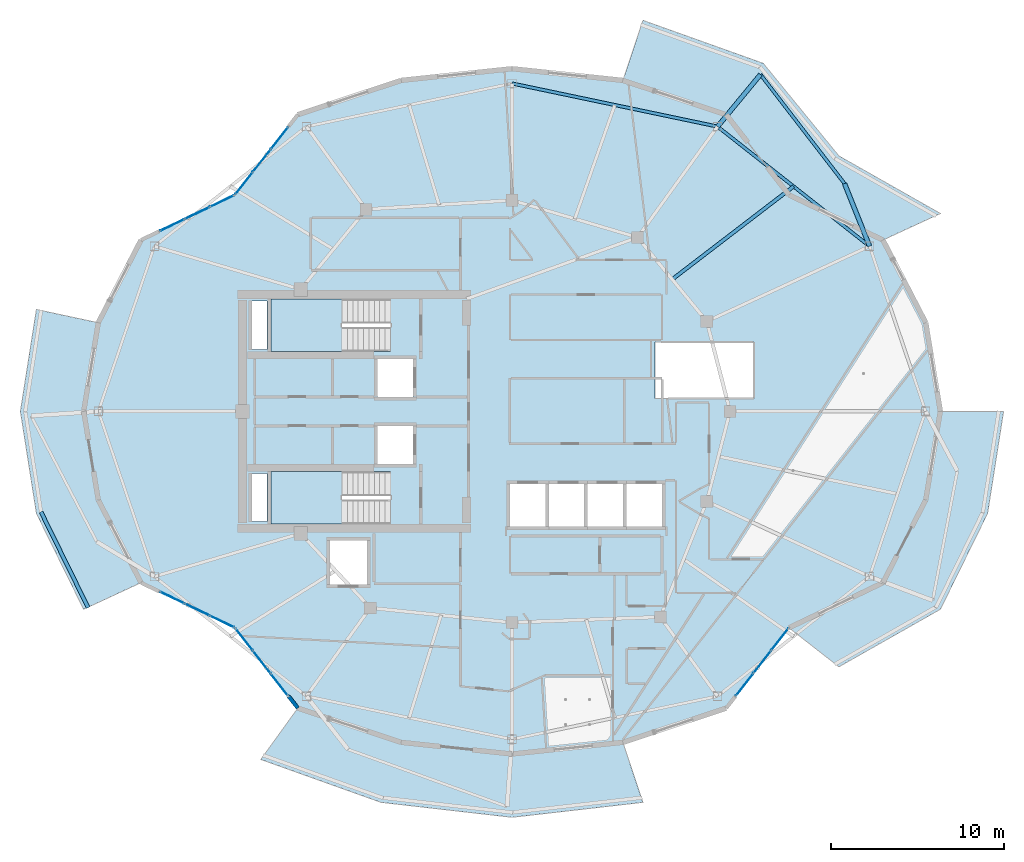
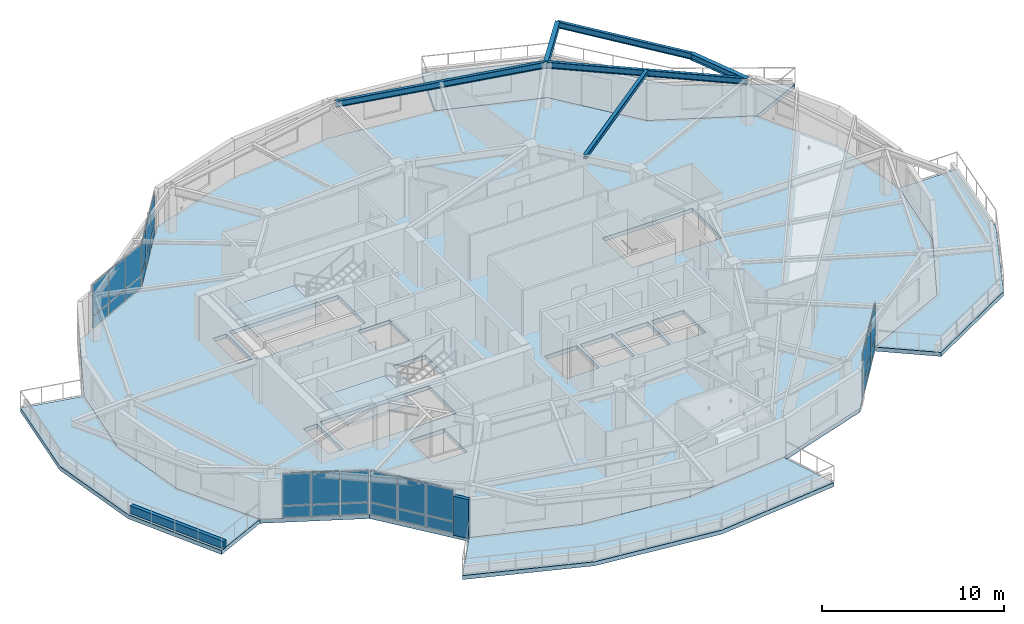
# One storey, part 6 of 19: 35 plates, 7 slabs, 6 beams, 2 walls, 7 elements without a shape of their own.
"""IFC4 building model written with IfcOpenShell, lengths in metres."""

from ifc_helpers import new_model, si_unit, direction, frame, frame_2d, origin, origin_2d, place, context, subcontext, project, spatial, polyline, rectangle, i_section, outline, extrude, material, layer, layer_set, material_profile, profile_set, type_object, element, aggregate, save


model = new_model("IFC4")

# Units and contexts
model_context = context("Model", 3, precision=1e-05, world=origin(), true_north=direction((0.0, 1.0)))
body_context = subcontext(model_context, "Body", "Model", "MODEL_VIEW")
ifc_project = project(units=[si_unit("LENGTHUNIT", "METRE"), si_unit("AREAUNIT", "SQUARE_METRE"), si_unit("VOLUMEUNIT", "CUBIC_METRE"), si_unit("PLANEANGLEUNIT", "RADIAN"), si_unit("MASSUNIT", "GRAM", prefix="KILO")], contexts=[model_context])

# Site, building, storey
site_placement = place(None, origin())
site = spatial("IfcSite", under=ifc_project, at=site_placement, CompositionType="ELEMENT")
building_placement = place(site_placement, origin())
building = spatial("IfcBuilding", under=site, at=building_placement, Name="Kolvaren Gate Tower and Convention Centre", CompositionType="ELEMENT")
storey_placement = place(building_placement, frame((0.0, 0.0, 212.89990234375)))
storey = spatial("IfcBuildingStorey", under=building, at=storey_placement, Name="L56", CompositionType="ELEMENT", Elevation=212.89990234375)

# Beams
ifc_material_1 = material(Name="Structural steel ASTM A992 Grade 345 MPa", Category="steel")
ifc_material_profile_1 = material_profile(ifc_material_1, i_section(OverallWidth=0.260009765625, OverallDepth=0.419921875, WebThickness=0.013427734375, FlangeThickness=0.0224609375, at=origin_2d()), Name="W410X132")
ifc_profile_set_1 = profile_set([ifc_material_profile_1], Name="Structural steel ASTM A992 Grade 345 MPa")
beam_type_1 = type_object("IfcBeamType", Name="STR-BM-W410X132", PredefinedType="BEAM", material=ifc_profile_set_1)
for number, where, z_axis, x_axis, name in (
    (1, (50.787353515625, 36.543701171875, 2.820556640625), (-0.370926499602, 0.92866222702, 0.0), (-0.92866222702, -0.370926499602, 0.0), "Tower L57 Planted Balcony Outrigger Cantilever BC-1A"),
    (2, (42.002685546875, 43.4580078125, 2.820556640625), (0.636086782115, 0.771617525474, 0.0), (-0.771617525474, 0.636086782115, 0.0), "Tower L57 Planted Balcony Outrigger Cantilever BC-1B"),
):
    element("IfcBeam", number, at=place(storey_placement, frame(where, z_axis=z_axis, x_axis=x_axis)), inside=storey, type_object=beam_type_1, Name=name, PredefinedType="BEAM", context=body_context, shape_type="SweptSolid", body=[
        extrude(i_section(OverallWidth=0.260009765625, OverallDepth=0.419921875, WebThickness=0.013427734375, FlangeThickness=0.0224609375, at=origin_2d()), origin(), (0.0, 0.0, 1.0), 3.89990234375),
    ])
ifc_material_profile_2 = material_profile(ifc_material_1, i_section(OverallWidth=0.202880859375, OverallDepth=0.251953125, WebThickness=0.008056640625, FlangeThickness=0.013427734375, at=origin_2d()), Name="W250X58")
ifc_profile_set_2 = profile_set([ifc_material_profile_2], Name="Structural steel ASTM A992 Grade 345 MPa")
beam_type_2 = type_object("IfcBeamType", Name="STR-JS-W250X58", PredefinedType="JOIST", material=ifc_profile_set_2)
beam_1_placement = place(storey_placement, frame((39.3818359375, 34.627197265625, 2.904052734375), z_axis=(0.793783340844, 0.608200631205, 0.0), x_axis=(-0.608200631205, 0.793783340844, 0.0)))
element("IfcBeam", 3, at=beam_1_placement, inside=storey, type_object=beam_type_2, Name="Tower L56 Secondary Composite Floor Joist J-02.1", PredefinedType="JOIST", context=body_context, shape_type="SweptSolid", body=[
    extrude(i_section(OverallWidth=0.202880859375, OverallDepth=0.251953125, WebThickness=0.008056640625, FlangeThickness=0.013427734375, at=origin_2d()), origin(), (0.0, 0.0, 1.0), 8.835205078125),
])
ifc_material_profile_3 = material_profile(ifc_material_1, i_section(OverallWidth=0.180908203125, OverallDepth=0.4169921875, WebThickness=0.010986328125, FlangeThickness=0.018310546875, at=origin_2d()), Name="W410X85")
ifc_profile_set_3 = profile_set([ifc_material_profile_3], Name="Structural steel ASTM A992 Grade 345 MPa")
beam_type_3 = type_object("IfcBeamType", Name="STR-SP-W410X85", PredefinedType="SPANDREL", material=ifc_profile_set_3)
beam_2_placement = place(storey_placement, frame((50.787353515625, 36.543701171875, 2.821533203125), z_axis=(-0.78579365551, 0.618488747643, 0.0), x_axis=(-0.618488747643, -0.78579365551, 0.0)))
element("IfcBeam", 4, at=beam_2_placement, inside=storey, type_object=beam_type_3, Name="Tower L56 Perimeter Spandrel Beam SP-02", PredefinedType="SPANDREL", context=body_context, shape_type="SweptSolid", body=[
    extrude(i_section(OverallWidth=0.180908203125, OverallDepth=0.4169921875, WebThickness=0.010986328125, FlangeThickness=0.018310546875, at=origin_2d()), origin(), (0.0, 0.0, 1.0), 11.179443359375),
])
beam_3_placement = place(storey_placement, frame((42.002685546875, 43.4580078125, 2.821533203125), z_axis=(-0.978692765917, 0.205330148645, 0.0), x_axis=(-0.205330148645, -0.978692765917, 0.0)))
element("IfcBeam", 5, at=beam_3_placement, inside=storey, type_object=beam_type_3, Name="Tower L56 Perimeter Spandrel Beam SP-03", PredefinedType="SPANDREL", context=body_context, shape_type="SweptSolid", body=[
    extrude(i_section(OverallWidth=0.180908203125, OverallDepth=0.4169921875, WebThickness=0.010986328125, FlangeThickness=0.018310546875, at=origin_2d()), origin(), (0.0, 0.0, 1.0), 12.13623046875),
])
beam_4_placement = place(storey_placement, frame((49.3408203125, 40.165283203125, 2.822021484375), z_axis=(-0.61047858823, 0.792032760252, 0.0), x_axis=(-0.792032760252, -0.61047858823, 0.0)))
element("IfcBeam", 6, at=beam_4_placement, inside=storey, type_object=beam_type_3, Name="Tower L57 Planted Balcony Header Tie Beam BT-1", PredefinedType="SPANDREL", context=body_context, shape_type="SweptSolid", body=[
    extrude(i_section(OverallWidth=0.180908203125, OverallDepth=0.4169921875, WebThickness=0.010986328125, FlangeThickness=0.018310546875, at=origin_2d()), origin(), (0.0, 0.0, 1.0), 7.956787109375),
])

# Plates
ifc_material_2 = material(Name="Perforated Anodized Bronze Aluminium Sheet 6 mm", Category="aluminium")
ifc_layer_1 = layer(ifc_material_2, 0.011962890625)
ifc_layer_set_1 = layer_set([ifc_layer_1], Name="Perforated Anodized Bronze Aluminium Sheet 6 mm")
plate_type_1 = type_object("IfcPlateType", Name="ARCH-PL-SCREEN-PERF", PredefinedType="SHEET", material=ifc_layer_set_1)
for number, where, z_axis, x_axis, name in (
    (7, (15.93359375, 41.827392578125, 2.18994140625), (0.0, 0.0, 1.0), (0.616434119112, 0.787406487651, 0.0), "Tower L56 Perforated Bronze Solar Screen SS-08"),
    (8, (11.404296875, 38.20361328125, 2.18994140625), (0.0, 0.0, 1.0), (0.90135914581, 0.433072384555, 0.0), "Tower L56 Perforated Bronze Solar Screen SS-09"),
    (9, (11.404296875, 15.79638671875, 2.18994140625), (0.0, 0.0, 1.0), (0.90135914581, -0.433072384555, 0.0), "Tower L56 Perforated Bronze Solar Screen SS-14"),
    (10, (15.93359375, 12.172607421875, 2.18994140625), (0.0, 0.0, 1.0), (0.616434119112, -0.787406487651, 0.0), "Tower L56 Perforated Bronze Solar Screen SS-15"),
    (11, (44.316162109375, 12.172607421875, 2.18994140625), (0.0, 0.0, 1.0), (0.616434119112, 0.787406487651, 0.0), "Tower L56 Perforated Bronze Solar Screen SS-20"),
):
    element("IfcPlate", number, at=place(storey_placement, frame(where, z_axis=z_axis, x_axis=x_axis)), inside=storey, type_object=plate_type_1, Name=name, PredefinedType="SHEET", context=body_context, shape_type="SweptSolid", body=[
        extrude(rectangle(XDim=2.60009765625, YDim=0.011962890625, at=origin_2d()), origin(), (0.0, 0.0, 1.0), 0.840087890625),
    ])

# Curtain wall, plates
ifc_material_3 = material(Name="Anodized Architectural Aluminium Alloy 6063-T6", Category="aluminium")
ifc_layer_2 = layer(ifc_material_3, 0.159912109375)
ifc_layer_set_2 = layer_set([ifc_layer_2], Name="Anodized Architectural Aluminium Alloy 6063-T6")
curtain_wall_type = type_object("IfcCurtainWallType", Name="CW-RES-UNIT", PredefinedType="NOTDEFINED", material=ifc_layer_set_2)
curtain_wall_1_placement = place(storey_placement, origin())
curtain_wall_1 = element("IfcCurtainWall", 12, at=curtain_wall_1_placement, inside=storey, type_object=curtain_wall_type, Name="Tower L56 Unitised Curtain Wall CW-RES-UNIT Bay 08", PredefinedType="NOTDEFINED")
ifc_material_4 = material(Name="Low-E Triple Insulated Glazing Unit 44 mm", Category="glass")
ifc_layer_3 = layer(ifc_material_4, 0.0439453125)
ifc_layer_set_3 = layer_set([ifc_layer_3], Name="Low-E Triple Insulated Glazing Unit 44 mm")
plate_type_2 = type_object("IfcPlateType", Name="CW-PL-IGU-44", PredefinedType="CURTAIN_PANEL", material=ifc_layer_set_3)
plate_1_placement = place(storey_placement, frame((14.64306640625, 40.178466796875, 0.882568359375), z_axis=(0.0, 0.0, 1.0), x_axis=(0.616429718179, 0.787409932974, 0.0)))
plate_1 = element("IfcPlate", 13, at=plate_1_placement, type_object=plate_type_2, Name="CW-04 panel 1.2", PredefinedType="CURTAIN_PANEL", context=body_context, shape_type="SweptSolid", body=[
    extrude(rectangle(XDim=1.57470703125, YDim=0.0439453125, at=origin_2d()), origin(), (0.0, 0.0, 1.0), 2.08251953125),
])
plate_2_placement = place(storey_placement, frame((15.663818359375, 41.482421875, 0.882568359375), z_axis=(0.0, 0.0, 1.0), x_axis=(0.616429718179, 0.787409932974, 0.0)))
plate_2 = element("IfcPlate", 14, at=plate_2_placement, type_object=plate_type_2, Name="CW-04 panel 2.2", PredefinedType="CURTAIN_PANEL", context=body_context, shape_type="SweptSolid", body=[
    extrude(rectangle(XDim=1.607421875, YDim=0.0439453125, at=origin_2d()), origin(), (0.0, 0.0, 1.0), 2.08251953125),
])
plate_3_placement = place(storey_placement, frame((16.6845703125, 42.78662109375, 0.882568359375), z_axis=(0.0, 0.0, 1.0), x_axis=(0.616429718179, 0.787409932974, 0.0)))
plate_3 = element("IfcPlate", 15, at=plate_3_placement, type_object=plate_type_2, Name="CW-04 panel 3.2", PredefinedType="CURTAIN_PANEL", context=body_context, shape_type="SweptSolid", body=[
    extrude(rectangle(XDim=1.57470703125, YDim=0.0439453125, at=origin_2d()), origin(), (0.0, 0.0, 1.0), 2.08251953125),
])

curtain_wall_2_placement = place(storey_placement, origin())
curtain_wall_2 = element("IfcCurtainWall", 16, at=curtain_wall_2_placement, inside=storey, type_object=curtain_wall_type, Name="Tower L56 Unitised Curtain Wall CW-RES-UNIT Bay 09", PredefinedType="NOTDEFINED")
plate_4_placement = place(storey_placement, frame((10.4970703125, 37.767822265625, 0.882568359375), z_axis=(0.0, 0.0, 1.0), x_axis=(0.901362416644, 0.433065576861, 0.0)))
plate_4 = element("IfcPlate", 17, at=plate_4_placement, type_object=plate_type_2, Name="CW-04 panel 1.2", PredefinedType="CURTAIN_PANEL", context=body_context, shape_type="SweptSolid", body=[
    extrude(rectangle(XDim=1.515625, YDim=0.0439453125, at=origin_2d()), origin(), (0.0, 0.0, 1.0), 2.08251953125),
])
plate_5_placement = place(storey_placement, frame((11.9365234375, 38.45947265625, 0.882568359375), z_axis=(0.0, 0.0, 1.0), x_axis=(0.901362416644, 0.433065576861, 0.0)))
plate_5 = element("IfcPlate", 18, at=plate_5_placement, type_object=plate_type_2, Name="CW-04 panel 2.2", PredefinedType="CURTAIN_PANEL", context=body_context, shape_type="SweptSolid", body=[
    extrude(rectangle(XDim=1.548095703125, YDim=0.0439453125, at=origin_2d()), origin(), (0.0, 0.0, 1.0), 2.08251953125),
])
plate_6_placement = place(storey_placement, frame((13.375732421875, 39.15087890625, 0.882568359375), z_axis=(0.0, 0.0, 1.0), x_axis=(0.901362416644, 0.433065576861, 0.0)))
plate_6 = element("IfcPlate", 19, at=plate_6_placement, type_object=plate_type_2, Name="CW-04 panel 3.2", PredefinedType="CURTAIN_PANEL", context=body_context, shape_type="SweptSolid", body=[
    extrude(rectangle(XDim=1.515625, YDim=0.0439453125, at=origin_2d()), origin(), (0.0, 0.0, 1.0), 2.08251953125),
])

curtain_wall_3_placement = place(storey_placement, origin())
curtain_wall_3 = element("IfcCurtainWall", 20, at=curtain_wall_3_placement, inside=storey, type_object=curtain_wall_type, Name="Tower L56 Unitised Curtain Wall CW-RES-UNIT Bay 14", PredefinedType="NOTDEFINED")
plate_7_placement = place(storey_placement, frame((10.4970703125, 16.232177734375, 0.882568359375), z_axis=(0.0, 0.0, 1.0), x_axis=(0.901362416644, -0.433065576861, 0.0)))
plate_7 = element("IfcPlate", 21, at=plate_7_placement, type_object=plate_type_2, Name="CW-04 panel 1.2", PredefinedType="CURTAIN_PANEL", context=body_context, shape_type="SweptSolid", body=[
    extrude(rectangle(XDim=1.515625, YDim=0.0439453125, at=origin_2d()), origin(), (0.0, 0.0, 1.0), 2.08251953125),
])
plate_8_placement = place(storey_placement, frame((11.9365234375, 15.54052734375, 0.882568359375), z_axis=(0.0, 0.0, 1.0), x_axis=(0.901362416644, -0.433065576861, 0.0)))
plate_8 = element("IfcPlate", 22, at=plate_8_placement, type_object=plate_type_2, Name="CW-04 panel 2.2", PredefinedType="CURTAIN_PANEL", context=body_context, shape_type="SweptSolid", body=[
    extrude(rectangle(XDim=1.548095703125, YDim=0.0439453125, at=origin_2d()), origin(), (0.0, 0.0, 1.0), 2.08251953125),
])
plate_9_placement = place(storey_placement, frame((13.375732421875, 14.84912109375, 0.882568359375), z_axis=(0.0, 0.0, 1.0), x_axis=(0.901362416644, -0.433065576861, 0.0)))
plate_9 = element("IfcPlate", 23, at=plate_9_placement, type_object=plate_type_2, Name="CW-04 panel 3.2", PredefinedType="CURTAIN_PANEL", context=body_context, shape_type="SweptSolid", body=[
    extrude(rectangle(XDim=1.515625, YDim=0.0439453125, at=origin_2d()), origin(), (0.0, 0.0, 1.0), 2.08251953125),
])

curtain_wall_4_placement = place(storey_placement, origin())
curtain_wall_4 = element("IfcCurtainWall", 24, at=curtain_wall_4_placement, inside=storey, type_object=curtain_wall_type, Name="Tower L56 Unitised Curtain Wall CW-RES-UNIT Bay 15", PredefinedType="NOTDEFINED")
plate_10_placement = place(storey_placement, frame((14.64306640625, 13.821533203125, 0.882568359375), z_axis=(0.0, 0.0, 1.0), x_axis=(0.616429718179, -0.787409932974, 0.0)))
plate_10 = element("IfcPlate", 25, at=plate_10_placement, type_object=plate_type_2, Name="CW-04 panel 1.2", PredefinedType="CURTAIN_PANEL", context=body_context, shape_type="SweptSolid", body=[
    extrude(rectangle(XDim=1.57470703125, YDim=0.0439453125, at=origin_2d()), origin(), (0.0, 0.0, 1.0), 2.08251953125),
])
plate_11_placement = place(storey_placement, frame((15.663818359375, 12.517578125, 0.882568359375), z_axis=(0.0, 0.0, 1.0), x_axis=(0.616429718179, -0.787409932974, 0.0)))
plate_11 = element("IfcPlate", 26, at=plate_11_placement, type_object=plate_type_2, Name="CW-04 panel 2.2", PredefinedType="CURTAIN_PANEL", context=body_context, shape_type="SweptSolid", body=[
    extrude(rectangle(XDim=1.607421875, YDim=0.0439453125, at=origin_2d()), origin(), (0.0, 0.0, 1.0), 2.08251953125),
])
plate_12_placement = place(storey_placement, frame((16.6845703125, 11.21337890625, 0.882568359375), z_axis=(0.0, 0.0, 1.0), x_axis=(0.616429718179, -0.787409932974, 0.0)))
plate_12 = element("IfcPlate", 27, at=plate_12_placement, type_object=plate_type_2, Name="CW-04 panel 3.2", PredefinedType="CURTAIN_PANEL", context=body_context, shape_type="SweptSolid", body=[
    extrude(rectangle(XDim=1.57470703125, YDim=0.0439453125, at=origin_2d()), origin(), (0.0, 0.0, 1.0), 2.08251953125),
])

curtain_wall_5_placement = place(storey_placement, origin())
curtain_wall_5 = element("IfcCurtainWall", 28, at=curtain_wall_5_placement, inside=storey, type_object=curtain_wall_type, Name="Tower L56 Unitised Curtain Wall CW-RES-UNIT Bay 20", PredefinedType="NOTDEFINED")
plate_13_placement = place(storey_placement, frame((43.5654296875, 11.213623046875, 0.882568359375), z_axis=(0.0, 0.0, 1.0), x_axis=(0.616436709784, 0.787404459493, 0.0)))
plate_13 = element("IfcPlate", 29, at=plate_13_placement, type_object=plate_type_2, Name="CW-04 panel 1.2", PredefinedType="CURTAIN_PANEL", context=body_context, shape_type="SweptSolid", body=[
    extrude(rectangle(XDim=1.57470703125, YDim=0.0439453125, at=origin_2d()), origin(), (0.0, 0.0, 1.0), 2.08251953125),
])
plate_14_placement = place(storey_placement, frame((44.586181640625, 12.517578125, 0.882568359375), z_axis=(0.0, 0.0, 1.0), x_axis=(0.616436709784, 0.787404459493, 0.0)))
plate_14 = element("IfcPlate", 30, at=plate_14_placement, type_object=plate_type_2, Name="CW-04 panel 2.2", PredefinedType="CURTAIN_PANEL", context=body_context, shape_type="SweptSolid", body=[
    extrude(rectangle(XDim=1.607177734375, YDim=0.0439453125, at=origin_2d()), origin(), (0.0, 0.0, 1.0), 2.08251953125),
])
plate_15_placement = place(storey_placement, frame((45.607177734375, 13.821533203125, 0.882568359375), z_axis=(0.0, 0.0, 1.0), x_axis=(0.616436709784, 0.787404459493, 0.0)))
plate_15 = element("IfcPlate", 31, at=plate_15_placement, type_object=plate_type_2, Name="CW-04 panel 3.2", PredefinedType="CURTAIN_PANEL", context=body_context, shape_type="SweptSolid", body=[
    extrude(rectangle(XDim=1.57470703125, YDim=0.0439453125, at=origin_2d()), origin(), (0.0, 0.0, 1.0), 2.08251953125),
])

# Plate
ifc_material_5 = material(Name="Solar-Control Laminated Curtain Glazing 36 mm", Category="glass")
ifc_layer_4 = layer(ifc_material_5, 0.035888671875)
ifc_layer_set_4 = layer_set([ifc_layer_4], Name="Solar-Control Laminated Curtain Glazing 36 mm")
plate_type_3 = type_object("IfcPlateType", Name="CW-PL-SPAN-36", PredefinedType="CURTAIN_PANEL", material=ifc_layer_set_4)
plate_16_placement = place(storey_placement, frame((14.64306640625, 40.178466796875, 0.065185546875), z_axis=(0.0, 0.0, 1.0), x_axis=(0.616429718179, 0.787409932974, 0.0)))
plate_16 = element("IfcPlate", 32, at=plate_16_placement, type_object=plate_type_3, Name="CW-04 panel 1.1", PredefinedType="CURTAIN_PANEL", context=body_context, shape_type="SweptSolid", body=[
    extrude(rectangle(XDim=1.57470703125, YDim=0.035888671875, at=origin_2d()), origin(), (0.0, 0.0, 1.0), 0.75244140625),
])

plate_17_placement = place(storey_placement, frame((15.663818359375, 41.482421875, 0.065185546875), z_axis=(0.0, 0.0, 1.0), x_axis=(0.616429718179, 0.787409932974, 0.0)))
plate_17 = element("IfcPlate", 33, at=plate_17_placement, type_object=plate_type_3, Name="CW-04 panel 2.1", PredefinedType="CURTAIN_PANEL", context=body_context, shape_type="SweptSolid", body=[
    extrude(rectangle(XDim=1.607421875, YDim=0.035888671875, at=origin_2d()), origin(), (0.0, 0.0, 1.0), 0.75244140625),
])

plate_18_placement = place(storey_placement, frame((16.6845703125, 42.78662109375, 0.065185546875), z_axis=(0.0, 0.0, 1.0), x_axis=(0.616429718179, 0.787409932974, 0.0)))
plate_18 = element("IfcPlate", 34, at=plate_18_placement, type_object=plate_type_3, Name="CW-04 panel 3.1", PredefinedType="CURTAIN_PANEL", context=body_context, shape_type="SweptSolid", body=[
    extrude(rectangle(XDim=1.57470703125, YDim=0.035888671875, at=origin_2d()), origin(), (0.0, 0.0, 1.0), 0.75244140625),
])

aggregate(curtain_wall_1, [plate_16, plate_1, plate_17, plate_2, plate_18, plate_3])

plate_19_placement = place(storey_placement, frame((10.4970703125, 37.767822265625, 0.065185546875), z_axis=(0.0, 0.0, 1.0), x_axis=(0.901362416644, 0.433065576861, 0.0)))
plate_19 = element("IfcPlate", 35, at=plate_19_placement, type_object=plate_type_3, Name="CW-04 panel 1.1", PredefinedType="CURTAIN_PANEL", context=body_context, shape_type="SweptSolid", body=[
    extrude(rectangle(XDim=1.515625, YDim=0.035888671875, at=origin_2d()), origin(), (0.0, 0.0, 1.0), 0.75244140625),
])

plate_20_placement = place(storey_placement, frame((11.9365234375, 38.45947265625, 0.065185546875), z_axis=(0.0, 0.0, 1.0), x_axis=(0.901362416644, 0.433065576861, 0.0)))
plate_20 = element("IfcPlate", 36, at=plate_20_placement, type_object=plate_type_3, Name="CW-04 panel 2.1", PredefinedType="CURTAIN_PANEL", context=body_context, shape_type="SweptSolid", body=[
    extrude(rectangle(XDim=1.548095703125, YDim=0.035888671875, at=origin_2d()), origin(), (0.0, 0.0, 1.0), 0.75244140625),
])

plate_21_placement = place(storey_placement, frame((13.375732421875, 39.15087890625, 0.065185546875), z_axis=(0.0, 0.0, 1.0), x_axis=(0.901362416644, 0.433065576861, 0.0)))
plate_21 = element("IfcPlate", 37, at=plate_21_placement, type_object=plate_type_3, Name="CW-04 panel 3.1", PredefinedType="CURTAIN_PANEL", context=body_context, shape_type="SweptSolid", body=[
    extrude(rectangle(XDim=1.515625, YDim=0.035888671875, at=origin_2d()), origin(), (0.0, 0.0, 1.0), 0.75244140625),
])

aggregate(curtain_wall_2, [plate_19, plate_4, plate_20, plate_5, plate_21, plate_6])

plate_22_placement = place(storey_placement, frame((10.4970703125, 16.232177734375, 0.065185546875), z_axis=(0.0, 0.0, 1.0), x_axis=(0.901362416644, -0.433065576861, 0.0)))
plate_22 = element("IfcPlate", 38, at=plate_22_placement, type_object=plate_type_3, Name="CW-04 panel 1.1", PredefinedType="CURTAIN_PANEL", context=body_context, shape_type="SweptSolid", body=[
    extrude(rectangle(XDim=1.515625, YDim=0.035888671875, at=origin_2d()), origin(), (0.0, 0.0, 1.0), 0.75244140625),
])

plate_23_placement = place(storey_placement, frame((11.9365234375, 15.54052734375, 0.065185546875), z_axis=(0.0, 0.0, 1.0), x_axis=(0.901362416644, -0.433065576861, 0.0)))
plate_23 = element("IfcPlate", 39, at=plate_23_placement, type_object=plate_type_3, Name="CW-04 panel 2.1", PredefinedType="CURTAIN_PANEL", context=body_context, shape_type="SweptSolid", body=[
    extrude(rectangle(XDim=1.548095703125, YDim=0.035888671875, at=origin_2d()), origin(), (0.0, 0.0, 1.0), 0.75244140625),
])

plate_24_placement = place(storey_placement, frame((13.375732421875, 14.84912109375, 0.065185546875), z_axis=(0.0, 0.0, 1.0), x_axis=(0.901362416644, -0.433065576861, 0.0)))
plate_24 = element("IfcPlate", 40, at=plate_24_placement, type_object=plate_type_3, Name="CW-04 panel 3.1", PredefinedType="CURTAIN_PANEL", context=body_context, shape_type="SweptSolid", body=[
    extrude(rectangle(XDim=1.515625, YDim=0.035888671875, at=origin_2d()), origin(), (0.0, 0.0, 1.0), 0.75244140625),
])

aggregate(curtain_wall_3, [plate_22, plate_7, plate_23, plate_8, plate_24, plate_9])

plate_25_placement = place(storey_placement, frame((14.64306640625, 13.821533203125, 0.065185546875), z_axis=(0.0, 0.0, 1.0), x_axis=(0.616429718179, -0.787409932974, 0.0)))
plate_25 = element("IfcPlate", 41, at=plate_25_placement, type_object=plate_type_3, Name="CW-04 panel 1.1", PredefinedType="CURTAIN_PANEL", context=body_context, shape_type="SweptSolid", body=[
    extrude(rectangle(XDim=1.57470703125, YDim=0.035888671875, at=origin_2d()), origin(), (0.0, 0.0, 1.0), 0.75244140625),
])

plate_26_placement = place(storey_placement, frame((15.663818359375, 12.517578125, 0.065185546875), z_axis=(0.0, 0.0, 1.0), x_axis=(0.616429718179, -0.787409932974, 0.0)))
plate_26 = element("IfcPlate", 42, at=plate_26_placement, type_object=plate_type_3, Name="CW-04 panel 2.1", PredefinedType="CURTAIN_PANEL", context=body_context, shape_type="SweptSolid", body=[
    extrude(rectangle(XDim=1.607421875, YDim=0.035888671875, at=origin_2d()), origin(), (0.0, 0.0, 1.0), 0.75244140625),
])

plate_27_placement = place(storey_placement, frame((16.6845703125, 11.21337890625, 0.065185546875), z_axis=(0.0, 0.0, 1.0), x_axis=(0.616429718179, -0.787409932974, 0.0)))
plate_27 = element("IfcPlate", 43, at=plate_27_placement, type_object=plate_type_3, Name="CW-04 panel 3.1", PredefinedType="CURTAIN_PANEL", context=body_context, shape_type="SweptSolid", body=[
    extrude(rectangle(XDim=1.57470703125, YDim=0.035888671875, at=origin_2d()), origin(), (0.0, 0.0, 1.0), 0.75244140625),
])

aggregate(curtain_wall_4, [plate_25, plate_10, plate_26, plate_11, plate_27, plate_12])

plate_28_placement = place(storey_placement, frame((43.5654296875, 11.213623046875, 0.065185546875), z_axis=(0.0, 0.0, 1.0), x_axis=(0.616436709784, 0.787404459493, 0.0)))
plate_28 = element("IfcPlate", 44, at=plate_28_placement, type_object=plate_type_3, Name="CW-04 panel 1.1", PredefinedType="CURTAIN_PANEL", context=body_context, shape_type="SweptSolid", body=[
    extrude(rectangle(XDim=1.57470703125, YDim=0.035888671875, at=origin_2d()), origin(), (0.0, 0.0, 1.0), 0.75244140625),
])

plate_29_placement = place(storey_placement, frame((44.586181640625, 12.517578125, 0.065185546875), z_axis=(0.0, 0.0, 1.0), x_axis=(0.616436709784, 0.787404459493, 0.0)))
plate_29 = element("IfcPlate", 45, at=plate_29_placement, type_object=plate_type_3, Name="CW-04 panel 2.1", PredefinedType="CURTAIN_PANEL", context=body_context, shape_type="SweptSolid", body=[
    extrude(rectangle(XDim=1.607177734375, YDim=0.035888671875, at=origin_2d()), origin(), (0.0, 0.0, 1.0), 0.75244140625),
])

plate_30_placement = place(storey_placement, frame((45.607177734375, 13.821533203125, 0.065185546875), z_axis=(0.0, 0.0, 1.0), x_axis=(0.616436709784, 0.787404459493, 0.0)))
plate_30 = element("IfcPlate", 46, at=plate_30_placement, type_object=plate_type_3, Name="CW-04 panel 3.1", PredefinedType="CURTAIN_PANEL", context=body_context, shape_type="SweptSolid", body=[
    extrude(rectangle(XDim=1.57470703125, YDim=0.035888671875, at=origin_2d()), origin(), (0.0, 0.0, 1.0), 0.75244140625),
])

aggregate(curtain_wall_5, [plate_28, plate_13, plate_29, plate_14, plate_30, plate_15])

# Slabs
ifc_material_6 = material(Name="Concrete C50/60", Category="concrete")
ifc_layer_5 = layer(ifc_material_6, 0.27001953125)
ifc_layer_set_5 = layer_set([ifc_layer_5], Name="Concrete C50/60")
slab_type_1 = type_object("IfcSlabType", Name="STR-SL-BALC-270", PredefinedType="FLOOR", material=ifc_layer_set_5)
slab_1_placement = place(storey_placement, frame((0.0, 0.0, -0.27001953125)))
element("IfcSlab", 47, at=slab_1_placement, inside=storey, type_object=slab_type_1, Name="Tower L56 Planted Balcony Terrace Slab 1 (North)", PredefinedType="FLOOR", context=body_context, shape_type="SweptSolid", body=[
    extrude(outline(polyline([(51.55908203125, 36.89990234375), (46.132568359375, 39.50732421875), (42.5, 44.147216796875), (36.53076171875, 46.125244140625), (37.693115234375, 49.595703125), (44.641845703125, 47.114990234375), (49.0166015625, 41.7607421875), (54.8818359375, 38.434814453125), (51.55908203125, 36.89990234375)])), origin(), (0.0, 0.0, 1.0), 0.27001953125),
])
slab_2_placement = place(storey_placement, frame((0.0, 0.0, -0.27001953125)))
element("IfcSlab", 48, at=slab_2_placement, inside=storey, type_object=slab_type_1, Name="Tower L56 Planted Balcony Terrace Slab 2 (West)", PredefinedType="FLOOR", context=body_context, shape_type="SweptSolid", body=[
    extrude(outline(polyline([(6.21826171875, 32.12451171875), (5.375, 27.0), (6.21826171875, 21.87548828125), (8.69091796875, 17.10009765625), (5.3681640625, 15.565185546875), (2.6396484375, 21.1083984375), (1.715087890625, 27.0), (2.6396484375, 32.8916015625), (6.21826171875, 32.12451171875)])), origin(), (0.0, 0.0, 1.0), 0.27001953125),
])
slab_3_placement = place(storey_placement, frame((0.0, 0.0, -0.27001953125)))
element("IfcSlab", 49, at=slab_3_placement, inside=storey, type_object=slab_type_1, Name="Tower L56 Planted Balcony Terrace Slab 3 (South)", PredefinedType="FLOOR", context=body_context, shape_type="SweptSolid", body=[
    extrude(outline(polyline([(17.75, 9.852783203125), (23.71923828125, 7.874755859375), (30.125, 7.199951171875), (36.53076171875, 7.874755859375), (37.693115234375, 4.404296875), (30.125, 3.5400390625), (22.556884765625, 4.404296875), (15.608154296875, 6.885009765625), (17.75, 9.852783203125)])), origin(), (0.0, 0.0, 1.0), 0.27001953125),
])
slab_4_placement = place(storey_placement, frame((0.0, 0.0, -0.27001953125)))
element("IfcSlab", 50, at=slab_4_placement, inside=storey, type_object=slab_type_1, Name="Tower L56 Planted Balcony Terrace Slab 4 (East)", PredefinedType="FLOOR", context=body_context, shape_type="SweptSolid", body=[
    extrude(outline(polyline([(46.132568359375, 14.49267578125), (51.55908203125, 17.10009765625), (54.03173828125, 21.87548828125), (54.875, 27.0), (58.534912109375, 27.0), (57.6103515625, 21.1083984375), (54.8818359375, 15.565185546875), (49.0166015625, 12.2392578125), (46.132568359375, 14.49267578125)])), origin(), (0.0, 0.0, 1.0), 0.27001953125),
])
ifc_material_7 = material(Name="Concrete C40/50", Category="concrete")
ifc_layer_6 = layer(ifc_material_7, 0.27001953125)
ifc_layer_set_6 = layer_set([ifc_layer_6], Name="Concrete C40/50")
slab_type_2 = type_object("IfcSlabType", Name="STR-SL-FLR-270", PredefinedType="FLOOR", material=ifc_layer_set_6)
slab_5_placement = place(storey_placement, frame((0.0, 0.0, -0.27001953125)))
element("IfcSlab", 51, at=slab_5_placement, inside=storey, type_object=slab_type_2, Name="Tower L56 Structural Floor Slab", PredefinedType="FLOOR", context=body_context, shape_type="SweptSolid", body=[
    extrude(outline(polyline([(54.875, 27.0), (54.03173828125, 32.12451171875), (51.55908203125, 36.89990234375), (46.132568359375, 39.50732421875), (42.5, 44.147216796875), (36.53076171875, 46.125244140625), (30.125, 46.800048828125), (23.71923828125, 46.125244140625), (17.75, 44.147216796875), (14.117431640625, 39.50732421875), (8.69091796875, 36.89990234375), (6.21826171875, 32.12451171875), (5.375, 27.0), (6.21826171875, 21.87548828125), (8.69091796875, 17.10009765625), (14.117431640625, 14.49267578125), (17.75, 9.852783203125), (23.71923828125, 7.874755859375), (30.125, 7.199951171875), (36.53076171875, 7.874755859375), (42.5, 9.852783203125), (46.132568359375, 14.49267578125), (51.55908203125, 17.10009765625), (54.03173828125, 21.87548828125), (54.875, 27.0)]), holes=[polyline([(38.39990234375, 27.75), (38.39990234375, 31.0), (44.10009765625, 31.0), (44.10009765625, 27.75), (38.39990234375, 27.75)]), polyline([(38.800048828125, 20.35009765625), (36.75, 20.35009765625), (36.75, 22.800048828125), (38.800048828125, 22.800048828125), (38.800048828125, 20.35009765625)]), polyline([(34.5, 20.35009765625), (34.5, 22.800048828125), (36.550048828125, 22.800048828125), (36.550048828125, 20.35009765625), (34.5, 20.35009765625)]), polyline([(32.25, 20.35009765625), (32.25, 22.800048828125), (34.300048828125, 22.800048828125), (34.300048828125, 20.35009765625), (32.25, 20.35009765625)]), polyline([(32.050048828125, 20.35009765625), (30.0, 20.35009765625), (30.0, 22.800048828125), (32.050048828125, 22.800048828125), (32.050048828125, 20.35009765625)]), polyline([(22.35009765625, 23.9599609375), (22.35009765625, 26.159912109375), (24.39990234375, 26.159912109375), (24.39990234375, 23.9599609375), (22.35009765625, 23.9599609375)]), polyline([(24.39990234375, 27.840087890625), (22.35009765625, 27.840087890625), (22.35009765625, 30.0400390625), (24.39990234375, 30.0400390625), (24.39990234375, 27.840087890625)]), polyline([(23.10009765625, 23.5400390625), (23.10009765625, 20.5), (16.199951171875, 20.5), (16.199951171875, 23.5400390625), (23.10009765625, 23.5400390625)]), polyline([(23.10009765625, 33.5), (23.10009765625, 30.4599609375), (16.199951171875, 30.4599609375), (16.199951171875, 33.5), (23.10009765625, 33.5)]), polyline([(21.75, 17.0), (19.60009765625, 17.0), (19.60009765625, 19.550048828125), (21.75, 19.550048828125), (21.75, 17.0)]), polyline([(15.080078125, 20.6298828125), (15.080078125, 23.419921875), (15.969970703125, 23.419921875), (15.969970703125, 20.6298828125), (15.080078125, 20.6298828125)]), polyline([(15.080078125, 30.580078125), (15.080078125, 33.3701171875), (15.969970703125, 33.3701171875), (15.969970703125, 30.580078125), (15.080078125, 30.580078125)])]), origin(), (0.0, 0.0, 1.0), 0.27001953125),
])

# Stair, slab
stair_type = type_object("IfcStairType", Name="STR-STAIR-CORE", PredefinedType="HALF_TURN_STAIR", material=ifc_material_6)
stair_1_placement = place(storey_placement, origin())
stair_1 = element("IfcStair", 52, at=stair_1_placement, inside=storey, type_object=stair_type, Name="L56 Tower North Exit Stair ST-T1", PredefinedType="HALF_TURN_STAIR")
ifc_layer_7 = layer(ifc_material_6, 0.199951171875)
ifc_layer_set_7 = layer_set([ifc_layer_7], Name="Concrete C50/60")
slab_type_3 = type_object("IfcSlabType", Name="STR-SL-LAND-200", PredefinedType="LANDING", material=ifc_layer_set_7)
slab_6_placement = place(storey_placement, frame((0.0, 0.0, 1.4501953125)))
slab_6 = element("IfcSlab", 53, at=slab_6_placement, type_object=slab_type_3, Name="ST-T1 landing 1", PredefinedType="LANDING", context=body_context, shape_type="SweptSolid", body=[
    extrude(outline(polyline([(20.31005859375, 33.5), (16.199951171875, 33.5), (16.199951171875, 30.4599609375), (20.31005859375, 30.4599609375), (20.31005859375, 33.5)])), origin(), (0.0, 0.0, 1.0), 0.199951171875),
])
aggregate(stair_1, [slab_6])

stair_2_placement = place(storey_placement, origin())
stair_2 = element("IfcStair", 54, at=stair_2_placement, inside=storey, type_object=stair_type, Name="L56 Tower South Exit Stair ST-T2", PredefinedType="HALF_TURN_STAIR")
slab_7_placement = place(storey_placement, frame((0.0, 0.0, 1.4501953125)))
slab_7 = element("IfcSlab", 55, at=slab_7_placement, type_object=slab_type_3, Name="ST-T2 landing 1", PredefinedType="LANDING", context=body_context, shape_type="SweptSolid", body=[
    extrude(outline(polyline([(20.31005859375, 23.5400390625), (16.199951171875, 23.5400390625), (16.199951171875, 20.5), (20.31005859375, 20.5), (20.31005859375, 23.5400390625)])), origin(), (0.0, 0.0, 1.0), 0.199951171875),
])
aggregate(stair_2, [slab_7])

# Walls
ifc_material_8 = material(Name="Bogota Sabana Bush-Hammered Sandstone Cladding", Category="masonry")
ifc_layer_8 = layer(ifc_material_8, 0.219970703125)
ifc_layer_set_8 = layer_set([ifc_layer_8], Name="Bogota Sabana Bush-Hammered Sandstone Cladding")
wall_type_1 = type_object("IfcWallType", Name="ARCH-WL-PIER-220", PredefinedType="SOLIDWALL", material=ifc_layer_set_8)
wall_1_placement = place(storey_placement, frame((17.210205078125, 10.542236328125, 0.0), z_axis=(0.0, 0.0, 1.0), x_axis=(0.616466126167, -0.787381429352, 0.0)))
element("IfcWall", 56, at=wall_1_placement, inside=storey, type_object=wall_type_1, Name="Tower L56 Unitised Curtain Wall CW-RES-UNIT Bay 15 Right Column Pier Wrap", PredefinedType="SOLIDWALL", context=body_context, shape_type="SweptSolid", body=[
    extrude(rectangle(XDim=0.875732421875, YDim=0.219970703125, at=frame_2d((0.43798828125, 0.0))), origin(), (0.0, 0.0, 1.0), 2.60498046875),
])
ifc_material_9 = material(Name="Piedmont Cream Honed Limestone Cladding", Category="masonry")
ifc_layer_9 = layer(ifc_material_9, 0.219970703125)
ifc_layer_set_9 = layer_set([ifc_layer_9], Name="Piedmont Cream Honed Limestone Cladding")
wall_type_2 = type_object("IfcWallType", Name="ARCH-WL-PLANTER-220", PredefinedType="PARAPET", material=ifc_layer_set_9)
wall_2_placement = place(storey_placement, frame((2.905517578125, 21.1962890625, 0.0), z_axis=(0.0, 0.0, 1.0), x_axis=(0.441640961804, -0.897191875162, 0.0)))
element("IfcWall", 57, at=wall_2_placement, inside=storey, type_object=wall_type_2, Name="Vertical-Forest Balcony Stone Planter Kerb PK-L56-2.3", PredefinedType="PARAPET", context=body_context, shape_type="SweptSolid", body=[
    extrude(rectangle(XDim=6.17822265625, YDim=0.219970703125, at=frame_2d((3.089111328125, 0.0))), origin(), (0.0, 0.0, 1.0), 0.52001953125),
])

save(model, "model.ifc")
